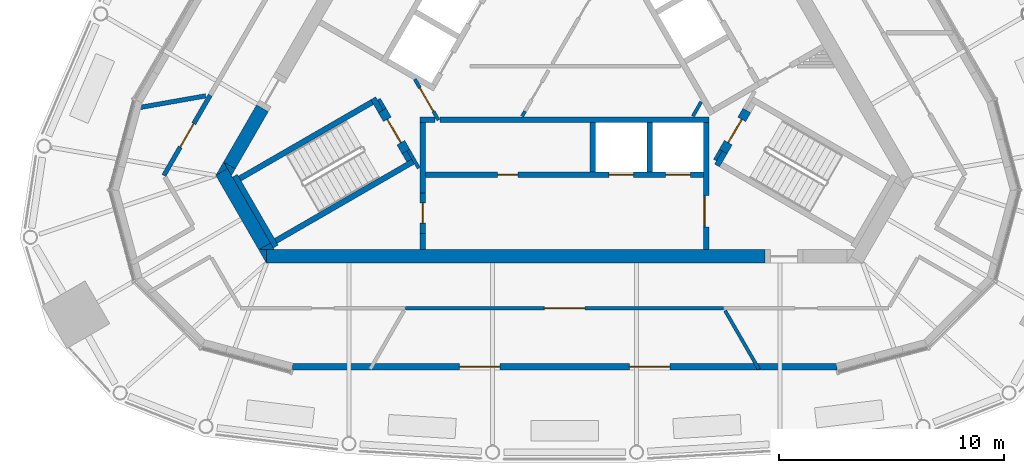
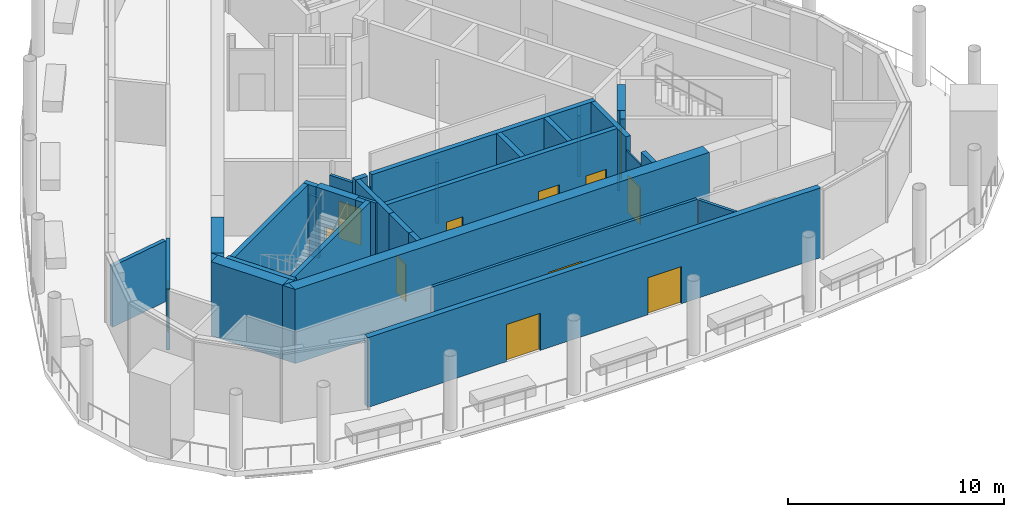
# One storey, part 6 of 15: 37 walls, 12 doors, 12 openings.
"""IFC4 building model written with IfcOpenShell, lengths in metres."""

from ifc_helpers import new_model, si_unit, direction, frame, frame_2d, origin, place, context, subcontext, project, spatial, polyline, rectangle, outline, extrude, material, layer, layer_set, type_object, element, fill, save


model = new_model("IFC4")

# Units and contexts
model_context = context("Model", 3, precision=1e-05, world=origin(), true_north=direction((0.0, 1.0)))
body_context = subcontext(model_context, "Body", "Model", "MODEL_VIEW")
ifc_project = project(units=[si_unit("LENGTHUNIT", "METRE"), si_unit("AREAUNIT", "SQUARE_METRE"), si_unit("VOLUMEUNIT", "CUBIC_METRE"), si_unit("PLANEANGLEUNIT", "RADIAN"), si_unit("MASSUNIT", "GRAM", prefix="KILO")], contexts=[model_context])

# Site, building, storey
site_placement = place(None, origin())
site = spatial("IfcSite", under=ifc_project, at=site_placement, CompositionType="ELEMENT")
building_placement = place(site_placement, origin())
building = spatial("IfcBuilding", under=site, at=building_placement, Name="Mestral Congress Tower", CompositionType="ELEMENT")
storey_placement = place(building_placement, frame((0.0, 0.0, 327.60009765625)))
storey = spatial("IfcBuildingStorey", under=building, at=storey_placement, Name="L76", CompositionType="ELEMENT", Elevation=327.60009765625)

# Walls
ifc_material_1 = material(Name="Fire-rated board partition")
ifc_layer_1 = layer(ifc_material_1, 0.14990234375)
ifc_layer_set_1 = layer_set([ifc_layer_1], Name="Fire-rated board partition")
wall_type_1 = type_object("IfcWallType", Name="Core partition 150", PredefinedType="PARTITIONING", material=ifc_layer_set_1)
for number, where, z_axis, x_axis, name in (
    (1, (-8.251953125, -2.958251953125, 0.0), (0.0, 0.0, 1.0), (0.500174715838, -0.865924508047, 0.0), "L76 core wall"),
    (2, (6.94482421875, -5.22216796875, 0.0), (0.0, 0.0, 1.0), (-0.499818422106, -0.866130212453, 0.0), "L76 core wall"),
):
    element("IfcWall", number, at=place(storey_placement, frame(where, z_axis=z_axis, x_axis=x_axis)), inside=storey, type_object=wall_type_1, Name=name, PredefinedType="PARTITIONING", context=body_context, shape_type="SweptSolid", body=[
        extrude(rectangle(XDim=0.513916015625, YDim=0.14990234375, at=frame_2d((0.2568359375, 0.0))), origin(), (0.0, 0.0, 1.0), 3.449951171875),
    ])
wall_1_placement = place(storey_placement, frame((5.704833984375, -3.718017578125, 0.0), z_axis=(0.0, 0.0, 1.0), x_axis=(0.499962090823, 0.866047289552, 0.0)))
element("IfcWall", 3, at=wall_1_placement, inside=storey, type_object=wall_type_1, Name="L76 core wall", PredefinedType="PARTITIONING", context=body_context, shape_type="SweptSolid", body=[
    extrude(rectangle(XDim=0.73486328125, YDim=0.14990234375, at=frame_2d((0.367431640625, 0.0))), origin(), (0.0, 0.0, 1.0), 3.449951171875),
])
wall_2_placement = place(storey_placement, frame((-1.886962890625, -3.71826171875, 0.0), z_axis=(0.0, 0.0, 1.0), x_axis=(0.500165633897, 0.865929753888, 0.0)))
element("IfcWall", 4, at=wall_2_placement, inside=storey, type_object=wall_type_1, Name="L76 core wall", PredefinedType="PARTITIONING", context=body_context, shape_type="SweptSolid", body=[
    extrude(rectangle(XDim=0.25439453125, YDim=0.14990234375, at=frame_2d((0.127197265625, 0.0))), origin(), (0.0, 0.0, 1.0), 3.449951171875),
])

# Wall, opening, door
wall_3_placement = place(storey_placement, frame((-5.606201171875, -3.8896484375, 0.0), z_axis=(0.0, 0.0, 1.0), x_axis=(-0.500027713859, 0.866009402589, 0.0)))
wall_3 = element("IfcWall", 5, at=wall_3_placement, inside=storey, type_object=wall_type_1, Name="L76 door wall", PredefinedType="PARTITIONING", context=body_context, shape_type="SweptSolid", body=[
    extrude(rectangle(XDim=2.10009765625, YDim=0.14990234375, at=frame_2d((1.050048828125, 0.0))), origin(), (0.0, 0.0, 1.0), 3.449951171875),
])
opening_1_placement = place(wall_3_placement, frame((0.449951171875, 0.0, 0.0)))
opening_1 = element("IfcOpeningElement", 6, at=opening_1_placement, cuts=wall_3, Name="Opening CD3-FF", PredefinedType="OPENING", context=body_context, shape_type="SweptSolid", body=[
    extrude(rectangle(XDim=1.199951171875, YDim=2.10009765625, at=frame_2d((0.60009765625, 1.050048828125))), frame((0.0, 0.0849609375, 0.0), z_axis=(0.0, -1.0, 0.0), x_axis=(1.0, 0.0, 0.0)), (0.0, 0.0, 1.0), 0.169921875),
])
ifc_material_2 = material(Name="Fire-rated steel door set", Category="steel")
door_type_1 = type_object("IfcDoorType", Name="Core door CD 1200x2100", OperationType="SINGLE_SWING_LEFT", PredefinedType="DOOR", material=ifc_material_2)
door_1_placement = place(opening_1_placement, origin())
door_1 = element("IfcDoor", 7, at=door_1_placement, inside=storey, type_object=door_type_1, Name="Door CD3-FF", OperationType="SINGLE_SWING_LEFT", OverallHeight=2.10009765625, OverallWidth=1.199951171875, PredefinedType="DOOR", context=body_context, shape_type="SweptSolid", body=[
    extrude(rectangle(XDim=1.199951171875, YDim=2.10009765625, at=frame_2d((0.60009765625, 1.050048828125))), frame((0.0, 0.02490234375, 0.0), z_axis=(0.0, -1.0, 0.0), x_axis=(1.0, 0.0, 0.0)), (0.0, 0.0, 1.0), 0.050048828125),
])
fill(opening_1, door_1)

ifc_layer_2 = layer(ifc_material_1, 0.090087890625)
ifc_layer_set_2 = layer_set([ifc_layer_2], Name="Fire-rated board partition")
wall_type_2 = type_object("IfcWallType", Name="Core partition 150 door-wall 90", PredefinedType="PARTITIONING", material=ifc_layer_set_2)
wall_4_placement = place(storey_placement, frame((6.219970703125, -7.23681640625, 0.0), z_axis=(0.0, 0.0, 1.0), x_axis=(0.0, -1.0, 0.0)))
wall_4 = element("IfcWall", 8, at=wall_4_placement, inside=storey, type_object=wall_type_2, Name="L76 door wall", PredefinedType="PARTITIONING", context=body_context, shape_type="SweptSolid", body=[
    extrude(rectangle(XDim=1.400146484375, YDim=0.090087890625, at=frame_2d((0.7001953125, 0.0))), origin(), (0.0, 0.0, 1.0), 3.449951171875),
])
opening_2_placement = place(wall_4_placement, frame((0.10009765625, 0.0, 0.0)))
opening_2 = element("IfcOpeningElement", 9, at=opening_2_placement, cuts=wall_4, Name="Opening LB0-WL1", PredefinedType="OPENING", context=body_context, shape_type="SweptSolid", body=[
    extrude(rectangle(XDim=1.199951171875, YDim=2.10009765625, at=frame_2d((0.60009765625, 1.050048828125))), frame((0.0, 0.054931640625, 0.0), z_axis=(0.0, -1.0, 0.0), x_axis=(1.0, 0.0, 0.0)), (0.0, 0.0, 1.0), 0.110107421875),
])
door_type_2 = type_object("IfcDoorType", Name="Core door LB 1200x2100", OperationType="SINGLE_SWING_LEFT", PredefinedType="DOOR", material=ifc_material_2)
door_2_placement = place(opening_2_placement, origin())
door_2 = element("IfcDoor", 10, at=door_2_placement, inside=storey, type_object=door_type_2, Name="Door LB0-WL1", OperationType="SINGLE_SWING_LEFT", OverallHeight=2.10009765625, OverallWidth=1.199951171875, PredefinedType="DOOR", context=body_context, shape_type="SweptSolid", body=[
    extrude(rectangle(XDim=1.199951171875, YDim=2.10009765625, at=frame_2d((0.60009765625, 1.050048828125))), frame((0.0, 0.02490234375, 0.0), z_axis=(0.0, -1.0, 0.0), x_axis=(1.0, 0.0, 0.0)), (0.0, 0.0, 1.0), 0.050048828125),
])
fill(opening_2, door_2)

# Walls
ifc_material_3 = material(Name="Concrete C60/75", Category="concrete")
ifc_layer_3 = layer(ifc_material_3, 0.60009765625)
ifc_layer_set_3 = layer_set([ifc_layer_3], Name="Concrete C60/75")
wall_type_3 = type_object("IfcWallType", Name="Core wall RC 600", PredefinedType="SOLIDWALL", material=ifc_layer_set_3)
wall_5_placement = place(storey_placement, frame((8.904296875, -9.949951171875, 0.0), z_axis=(0.0, 0.0, 1.0), x_axis=(-1.0, 0.0, 0.0)))
element("IfcWall", 11, at=wall_5_placement, inside=storey, type_object=wall_type_3, Name="L76 core wall", PredefinedType="SOLIDWALL", context=body_context, shape_type="SweptSolid", body=[
    extrude(rectangle(XDim=22.160888671875, YDim=0.60009765625, at=frame_2d((11.08056640625, 0.0))), origin(), (0.0, 0.0, 1.0), 4.199951171875),
])
placement = place(storey_placement, origin())
element("IfcWall", 12, at=placement, inside=storey, type_object=wall_type_3, Name="L76 core wall", PredefinedType="SOLIDWALL", context=body_context, shape_type="SweptSolid", body=[
    extrude(outline(polyline([(-13.5966796875, -9.64990234375), (-13.258544921875, -9.64990234375), (-13.258544921875, -10.235595703125), (-13.5966796875, -9.64990234375)])), origin(), (0.0, 0.0, 1.0), 4.199951171875),
])
wall_7_placement = place(storey_placement, frame((-13.33349609375, -9.505615234375, 0.0), z_axis=(0.0, 0.0, 1.0), x_axis=(-0.500019073792, 0.866014391245, 0.0)))
element("IfcWall", 13, at=wall_7_placement, inside=storey, type_object=wall_type_3, Name="L76 core wall", PredefinedType="SOLIDWALL", context=body_context, shape_type="SweptSolid", body=[
    extrude(rectangle(XDim=3.823486328125, YDim=0.60009765625, at=frame_2d((1.91162109375, 0.0))), origin(), (0.0, 0.0, 1.0), 4.199951171875),
])
element("IfcWall", 14, at=placement, inside=storey, type_object=wall_type_3, Name="L76 core wall", PredefinedType="SOLIDWALL", context=body_context, shape_type="SweptSolid", body=[
    extrude(outline(polyline([(-14.986572265625, -6.042724609375), (-15.493408203125, -6.33544921875), (-15.155517578125, -5.75), (-14.986572265625, -6.042724609375)])), origin(), (0.0, 0.0, 1.0), 4.199951171875),
])
element("IfcWall", 15, at=placement, inside=storey, type_object=wall_type_3, Name="L76 core wall", PredefinedType="SOLIDWALL", context=body_context, shape_type="SweptSolid", body=[
    extrude(outline(polyline([(-12.90380859375, -9.64990234375), (-13.579833984375, -9.64990234375), (-13.07275390625, -9.357421875), (-12.90380859375, -9.64990234375)])), origin(), (0.0, 0.0, 1.0), 4.199951171875),
])
wall_10_placement = place(storey_placement, frame((-13.431640625, -3.3642578125, 0.0), z_axis=(0.0, 0.0, 1.0), x_axis=(-0.499960127962, -0.866048422692, 0.0)))
element("IfcWall", 16, at=wall_10_placement, inside=storey, type_object=wall_type_3, Name="L76 core wall", PredefinedType="SOLIDWALL", context=body_context, shape_type="SweptSolid", body=[
    extrude(rectangle(XDim=2.934326171875, YDim=0.60009765625, at=frame_2d((1.46728515625, 0.0))), origin(), (0.0, 0.0, 1.0), 4.199951171875),
])
element("IfcWall", 17, at=placement, inside=storey, type_object=wall_type_3, Name="L76 core wall", PredefinedType="SOLIDWALL", context=body_context, shape_type="SweptSolid", body=[
    extrude(outline(polyline([(-14.80908203125, -6.35009765625), (-15.147216796875, -5.764404296875), (-14.639892578125, -6.057373046875), (-14.80908203125, -6.35009765625)])), origin(), (0.0, 0.0, 1.0), 4.199951171875),
])

# Wall, openings, doors
ifc_material_4 = material(Name="Precast concrete C40/50 with limestone facing", Category="masonry")
ifc_layer_4 = layer(ifc_material_4, 0.300048828125)
ifc_layer_set_4 = layer_set([ifc_layer_4], Name="Precast concrete C40/50 with limestone facing")
wall_type_4 = type_object("IfcWallType", Name="Crown plant block wall 300", PredefinedType="SOLIDWALL", material=ifc_layer_set_4)
wall_12_placement = place(storey_placement, frame((12.104736328125, -14.85009765625, 0.0), z_axis=(0.0, 0.0, 1.0), x_axis=(-1.0, 0.0, 0.0)))
wall_12 = element("IfcWall", 18, at=wall_12_placement, inside=storey, type_object=wall_type_4, Name="Head house wall", PredefinedType="SOLIDWALL", context=body_context, shape_type="SweptSolid", body=[
    extrude(rectangle(XDim=24.20947265625, YDim=0.300048828125, at=frame_2d((12.104736328125, 0.0))), origin(), (0.0, 0.0, 1.0), 3.949951171875),
])
opening_3_placement = place(wall_12_placement, frame((7.424560546875, 0.0, 0.0)))
opening_3 = element("IfcOpeningElement", 19, at=opening_3_placement, cuts=wall_12, Name="Opening K76-901", PredefinedType="OPENING", context=body_context, shape_type="SweptSolid", body=[
    extrude(rectangle(XDim=1.800048828125, YDim=2.10009765625, at=frame_2d((0.89990234375, 1.050048828125))), frame((0.0, 0.159912109375, 0.0), z_axis=(0.0, -1.0, 0.0), x_axis=(1.0, 0.0, 0.0)), (0.0, 0.0, 1.0), 0.320068359375),
])
opening_4_placement = place(wall_12_placement, frame((14.98486328125, 0.0, 0.0)))
opening_4 = element("IfcOpeningElement", 20, at=opening_4_placement, cuts=wall_12, Name="Opening K76-902", PredefinedType="OPENING", context=body_context, shape_type="SweptSolid", body=[
    extrude(rectangle(XDim=1.800048828125, YDim=2.10009765625, at=frame_2d((0.89990234375, 1.050048828125))), frame((0.0, 0.159912109375, 0.0), z_axis=(0.0, -1.0, 0.0), x_axis=(1.0, 0.0, 0.0)), (0.0, 0.0, 1.0), 0.320068359375),
])
ifc_material_5 = material(Name="Timber door set", Category="wood")
door_type_3 = type_object("IfcDoorType", Name="Double door 1800x2100", OperationType="DOUBLE_DOOR_SINGLE_SWING", PredefinedType="DOOR", material=ifc_material_5)
door_3_placement = place(opening_3_placement, origin())
door_3 = element("IfcDoor", 21, at=door_3_placement, inside=storey, type_object=door_type_3, Name="Door K76-901", OperationType="DOUBLE_DOOR_SINGLE_SWING", OverallHeight=2.10009765625, OverallWidth=1.800048828125, PredefinedType="DOOR", context=body_context, shape_type="SweptSolid", body=[
    extrude(rectangle(XDim=1.800048828125, YDim=2.10009765625, at=frame_2d((0.89990234375, 1.050048828125))), frame((0.0, 0.02490234375, 0.0), z_axis=(0.0, -1.0, 0.0), x_axis=(1.0, 0.0, 0.0)), (0.0, 0.0, 1.0), 0.050048828125),
])
fill(opening_3, door_3)
door_4_placement = place(opening_4_placement, origin())
door_4 = element("IfcDoor", 22, at=door_4_placement, inside=storey, type_object=door_type_3, Name="Door K76-902", OperationType="DOUBLE_DOOR_SINGLE_SWING", OverallHeight=2.10009765625, OverallWidth=1.800048828125, PredefinedType="DOOR", context=body_context, shape_type="SweptSolid", body=[
    extrude(rectangle(XDim=1.800048828125, YDim=2.10009765625, at=frame_2d((0.89990234375, 1.050048828125))), frame((0.0, 0.02490234375, 0.0), z_axis=(0.0, -1.0, 0.0), x_axis=(1.0, 0.0, 0.0)), (0.0, 0.0, 1.0), 0.050048828125),
])
fill(opening_4, door_4)

# Walls
ifc_layer_5 = layer(ifc_material_3, 0.25)
ifc_layer_set_5 = layer_set([ifc_layer_5], Name="Concrete C60/75")
wall_type_5 = type_object("IfcWallType", Name="Shaft wall RC 250", PredefinedType="SOLIDWALL", material=ifc_layer_set_5)
wall_13_placement = place(storey_placement, frame((-5.544921875, -3.875, 0.0), z_axis=(0.0, 0.0, 1.0), x_axis=(1.0, 0.0, 0.0)))
element("IfcWall", 23, at=wall_13_placement, inside=storey, type_object=wall_type_5, Name="L76 core wall", PredefinedType="SOLIDWALL", context=body_context, shape_type="SweptSolid", body=[
    extrude(rectangle(XDim=11.969970703125, YDim=0.25, at=frame_2d((5.98486328125, 0.0))), origin(), (0.0, 0.0, 1.0), 4.199951171875),
])
wall_14_placement = place(storey_placement, frame((-6.425048828125, -3.875, 0.0), z_axis=(0.0, 0.0, 1.0), x_axis=(1.0, 0.0, 0.0)))
element("IfcWall", 24, at=wall_14_placement, inside=storey, type_object=wall_type_5, Name="L76 core wall", PredefinedType="SOLIDWALL", context=body_context, shape_type="SweptSolid", body=[
    extrude(rectangle(XDim=0.657958984375, YDim=0.25, at=frame_2d((0.3291015625, 0.0))), origin(), (0.0, 0.0, 1.0), 4.199951171875),
])
wall_15_placement = place(storey_placement, frame((6.300048828125, -7.239990234375, 0.0), z_axis=(0.0, 0.0, 1.0), x_axis=(0.0, 1.0, 0.0)))
element("IfcWall", 25, at=wall_15_placement, inside=storey, type_object=wall_type_5, Name="L76 core wall", PredefinedType="SOLIDWALL", context=body_context, shape_type="SweptSolid", body=[
    extrude(rectangle(XDim=3.239990234375, YDim=0.25, at=frame_2d((1.6201171875, 0.0))), origin(), (0.0, 0.0, 1.0), 4.199951171875),
])
wall_16_placement = place(storey_placement, frame((6.300048828125, -9.64990234375, 0.0), z_axis=(0.0, 0.0, 1.0), x_axis=(0.0, 1.0, 0.0)))
element("IfcWall", 26, at=wall_16_placement, inside=storey, type_object=wall_type_5, Name="L76 core wall", PredefinedType="SOLIDWALL", context=body_context, shape_type="SweptSolid", body=[
    extrude(rectangle(XDim=1.0078125, YDim=0.25, at=frame_2d((0.50390625, 0.0))), origin(), (0.0, 0.0, 1.0), 4.199951171875),
])
for number, where, z_axis, x_axis, name in (
    (27, (3.780029296875, -4.0, 0.0), (0.0, 0.0, 1.0), (0.0, -1.0, 0.0), "L76 core wall"),
    (28, (1.260009765625, -4.0, 0.0), (0.0, 0.0, 1.0), (0.0, -1.0, 0.0), "L76 core wall"),
):
    element("IfcWall", number, at=place(storey_placement, frame(where, z_axis=z_axis, x_axis=x_axis)), inside=storey, type_object=wall_type_5, Name=name, PredefinedType="SOLIDWALL", context=body_context, shape_type="SweptSolid", body=[
        extrude(rectangle(XDim=2.199951171875, YDim=0.25, at=frame_2d((1.10009765625, 0.0))), origin(), (0.0, 0.0, 1.0), 4.199951171875),
    ])
wall_17_placement = place(storey_placement, frame((-6.300048828125, -7.12451171875, 0.0), z_axis=(0.0, 0.0, 1.0), x_axis=(0.0, 1.0, 0.0)))
element("IfcWall", 29, at=wall_17_placement, inside=storey, type_object=wall_type_5, Name="L76 core wall", PredefinedType="SOLIDWALL", context=body_context, shape_type="SweptSolid", body=[
    extrude(rectangle(XDim=3.12451171875, YDim=0.25, at=frame_2d((1.562255859375, 0.0))), origin(), (0.0, 0.0, 1.0), 4.199951171875),
])
wall_18_placement = place(storey_placement, frame((-6.300048828125, -8.9248046875, 0.0), z_axis=(0.0, 0.0, 1.0), x_axis=(0.0, -1.0, 0.0)))
element("IfcWall", 30, at=wall_18_placement, inside=storey, type_object=wall_type_5, Name="L76 core wall", PredefinedType="SOLIDWALL", context=body_context, shape_type="SweptSolid", body=[
    extrude(rectangle(XDim=0.72509765625, YDim=0.25, at=frame_2d((0.362548828125, 0.0))), origin(), (0.0, 0.0, 1.0), 4.199951171875),
])

# Wall, openings, doors
wall_19_placement = place(storey_placement, frame((-6.175048828125, -6.324951171875, 0.0), z_axis=(0.0, 0.0, 1.0), x_axis=(1.0, 0.0, 0.0)))
wall_19 = element("IfcWall", 31, at=wall_19_placement, inside=storey, type_object=wall_type_5, Name="L76 door wall", PredefinedType="SOLIDWALL", context=body_context, shape_type="SweptSolid", body=[
    extrude(rectangle(XDim=12.35009765625, YDim=0.25, at=frame_2d((6.175048828125, 0.0))), origin(), (0.0, 0.0, 1.0), 4.199951171875),
])
opening_5_placement = place(wall_19_placement, frame((3.205078125, 0.0, 0.0)))
opening_5 = element("IfcOpeningElement", 32, at=opening_5_placement, cuts=wall_19, Name="Opening SR-SOB1", PredefinedType="OPENING", context=body_context, shape_type="SweptSolid", body=[
    extrude(rectangle(XDim=0.89990234375, YDim=2.10009765625, at=frame_2d((0.449951171875, 1.050048828125))), frame((0.0, 0.135009765625, 0.0), z_axis=(0.0, -1.0, 0.0), x_axis=(1.0, 0.0, 0.0)), (0.0, 0.0, 1.0), 0.27001953125),
])
opening_6_placement = place(wall_19_placement, frame((8.14501953125, 0.0, 0.0)))
opening_6 = element("IfcOpeningElement", 33, at=opening_6_placement, cuts=wall_19, Name="Opening LD-SOB4", PredefinedType="OPENING", context=body_context, shape_type="SweptSolid", body=[
    extrude(rectangle(XDim=1.10009765625, YDim=2.10009765625, at=frame_2d((0.550048828125, 1.050048828125))), frame((0.0, 0.135009765625, 0.0), z_axis=(0.0, -1.0, 0.0), x_axis=(1.0, 0.0, 0.0)), (0.0, 0.0, 1.0), 0.27001953125),
])
opening_7_placement = place(wall_19_placement, frame((10.6650390625, 0.0, 0.0)))
opening_7 = element("IfcOpeningElement", 34, at=opening_7_placement, cuts=wall_19, Name="Opening LD-SOB5", PredefinedType="OPENING", context=body_context, shape_type="SweptSolid", body=[
    extrude(rectangle(XDim=1.10009765625, YDim=2.10009765625, at=frame_2d((0.550048828125, 1.050048828125))), frame((0.0, 0.135009765625, 0.0), z_axis=(0.0, -1.0, 0.0), x_axis=(1.0, 0.0, 0.0)), (0.0, 0.0, 1.0), 0.27001953125),
])
door_type_4 = type_object("IfcDoorType", Name="Core door LD 1100x2100", OperationType="DOUBLE_DOOR_SLIDING", PredefinedType="DOOR", material=ifc_material_2)
door_5_placement = place(opening_6_placement, origin())
door_5 = element("IfcDoor", 35, at=door_5_placement, inside=storey, type_object=door_type_4, Name="Door LD-SOB4", OperationType="DOUBLE_DOOR_SLIDING", OverallHeight=2.10009765625, OverallWidth=1.10009765625, PredefinedType="DOOR", context=body_context, shape_type="SweptSolid", body=[
    extrude(rectangle(XDim=1.10009765625, YDim=2.10009765625, at=frame_2d((0.550048828125, 1.050048828125))), frame((0.0, 0.02490234375, 0.0), z_axis=(0.0, -1.0, 0.0), x_axis=(1.0, 0.0, 0.0)), (0.0, 0.0, 1.0), 0.050048828125),
])
fill(opening_6, door_5)
door_6_placement = place(opening_7_placement, origin())
door_6 = element("IfcDoor", 36, at=door_6_placement, inside=storey, type_object=door_type_4, Name="Door LD-SOB5", OperationType="DOUBLE_DOOR_SLIDING", OverallHeight=2.10009765625, OverallWidth=1.10009765625, PredefinedType="DOOR", context=body_context, shape_type="SweptSolid", body=[
    extrude(rectangle(XDim=1.10009765625, YDim=2.10009765625, at=frame_2d((0.550048828125, 1.050048828125))), frame((0.0, 0.02490234375, 0.0), z_axis=(0.0, -1.0, 0.0), x_axis=(1.0, 0.0, 0.0)), (0.0, 0.0, 1.0), 0.050048828125),
])
fill(opening_7, door_6)
door_type_5 = type_object("IfcDoorType", Name="Core door SR 900x2100", OperationType="SINGLE_SWING_LEFT", PredefinedType="DOOR", material=ifc_material_2)
door_7_placement = place(opening_5_placement, origin())
door_7 = element("IfcDoor", 37, at=door_7_placement, inside=storey, type_object=door_type_5, Name="Door SR-SOB1", OperationType="SINGLE_SWING_LEFT", OverallHeight=2.10009765625, OverallWidth=0.89990234375, PredefinedType="DOOR", context=body_context, shape_type="SweptSolid", body=[
    extrude(rectangle(XDim=0.89990234375, YDim=2.10009765625, at=frame_2d((0.449951171875, 1.050048828125))), frame((0.0, 0.02490234375, 0.0), z_axis=(0.0, -1.0, 0.0), x_axis=(1.0, 0.0, 0.0)), (0.0, 0.0, 1.0), 0.050048828125),
])
fill(opening_5, door_7)

# Wall, opening, door
wall_20_placement = place(storey_placement, frame((-6.300048828125, -7.12451171875, 0.0), z_axis=(0.0, 0.0, 1.0), x_axis=(0.0, -1.0, 0.0)))
wall_20 = element("IfcWall", 38, at=wall_20_placement, inside=storey, type_object=wall_type_5, Name="L76 door wall", PredefinedType="SOLIDWALL", context=body_context, shape_type="SweptSolid", body=[
    extrude(rectangle(XDim=1.800048828125, YDim=0.25, at=frame_2d((0.89990234375, 0.0))), origin(), (0.0, 0.0, 1.0), 4.199951171875),
])
opening_8_placement = place(wall_20_placement, frame((0.449951171875, 0.0, 0.0)))
opening_8 = element("IfcOpeningElement", 39, at=opening_8_placement, cuts=wall_20, Name="Opening TD3", PredefinedType="OPENING", context=body_context, shape_type="SweptSolid", body=[
    extrude(rectangle(XDim=0.89990234375, YDim=2.10009765625, at=frame_2d((0.449951171875, 1.050048828125))), frame((0.0, 0.135009765625, 0.0), z_axis=(0.0, -1.0, 0.0), x_axis=(1.0, 0.0, 0.0)), (0.0, 0.0, 1.0), 0.27001953125),
])
door_8_placement = place(opening_8_placement, origin())
door_8 = element("IfcDoor", 40, at=door_8_placement, inside=storey, type_object=door_type_5, Name="Door TD3", OperationType="SINGLE_SWING_LEFT", OverallHeight=2.10009765625, OverallWidth=0.89990234375, PredefinedType="DOOR", context=body_context, shape_type="SweptSolid", body=[
    extrude(rectangle(XDim=0.89990234375, YDim=2.10009765625, at=frame_2d((0.449951171875, 1.050048828125))), frame((0.0, 0.02490234375, 0.0), z_axis=(0.0, -1.0, 0.0), x_axis=(1.0, 0.0, 0.0)), (0.0, 0.0, 1.0), 0.050048828125),
])
fill(opening_8, door_8)

# Wall
ifc_layer_6 = layer(ifc_material_3, 0.14990234375)
ifc_layer_set_6 = layer_set([ifc_layer_6], Name="Concrete C60/75")
wall_type_6 = type_object("IfcWallType", Name="Shaft wall RC 250 door-wall 150", PredefinedType="SOLIDWALL", material=ifc_layer_set_6)
wall_21_placement = place(storey_placement, frame((-6.48046875, -6.026611328125, 0.0), z_axis=(0.0, 0.0, 1.0), x_axis=(-0.499927229454, 0.866067413802, 0.0)))
element("IfcWall", 41, at=wall_21_placement, inside=storey, type_object=wall_type_6, Name="L76 core wall", PredefinedType="PARTITIONING", context=body_context, shape_type="SweptSolid", body=[
    extrude(rectangle(XDim=0.928955078125, YDim=0.14990234375, at=frame_2d((0.46435546875, 0.0))), origin(), (0.0, 0.0, 1.0), 4.199951171875),
])

# Wall, opening, door
ifc_layer_7 = layer(ifc_material_1, 0.14990234375)
ifc_layer_set_7 = layer_set([ifc_layer_7], Name="Fire-rated board partition")
wall_type_7 = type_object("IfcWallType", Name="Special partition 150 EI 120", PredefinedType="PARTITIONING", material=ifc_layer_set_7)
wall_22_placement = place(storey_placement, frame((-7.07275390625, -12.25, 0.0), z_axis=(0.0, 0.0, 1.0), x_axis=(1.0, 0.0, 0.0)))
wall_22 = element("IfcWall", 42, at=wall_22_placement, inside=storey, type_object=wall_type_7, Name="Partition", PredefinedType="PARTITIONING", context=body_context, shape_type="SweptSolid", body=[
    extrude(rectangle(XDim=14.1455078125, YDim=0.14990234375, at=frame_2d((7.07275390625, 0.0))), origin(), (0.0, 0.0, 1.0), 3.449951171875),
])
opening_9_placement = place(wall_22_placement, frame((6.1728515625, 0.0, 0.0)))
opening_9 = element("IfcOpeningElement", 43, at=opening_9_placement, cuts=wall_22, Name="Opening K76-003", PredefinedType="OPENING", context=body_context, shape_type="SweptSolid", body=[
    extrude(rectangle(XDim=1.800048828125, YDim=2.10009765625, at=frame_2d((0.89990234375, 1.050048828125))), frame((0.0, 0.0849609375, 0.0), z_axis=(0.0, -1.0, 0.0), x_axis=(1.0, 0.0, 0.0)), (0.0, 0.0, 1.0), 0.169921875),
])
door_9_placement = place(opening_9_placement, origin())
door_9 = element("IfcDoor", 44, at=door_9_placement, inside=storey, type_object=door_type_3, Name="Door K76-003", OperationType="DOUBLE_DOOR_SINGLE_SWING", OverallHeight=2.10009765625, OverallWidth=1.800048828125, PredefinedType="DOOR", context=body_context, shape_type="SweptSolid", body=[
    extrude(rectangle(XDim=1.800048828125, YDim=2.10009765625, at=frame_2d((0.89990234375, 1.050048828125))), frame((0.0, 0.02490234375, 0.0), z_axis=(0.0, -1.0, 0.0), x_axis=(1.0, 0.0, 0.0)), (0.0, 0.0, 1.0), 0.050048828125),
])
fill(opening_9, door_9)

# Wall
ifc_layer_8 = layer(ifc_material_1, 0.14990234375)
ifc_layer_set_8 = layer_set([ifc_layer_8], Name="Fire-rated board partition")
wall_type_8 = type_object("IfcWallType", Name="Special partition 150 EI 180", PredefinedType="PARTITIONING", material=ifc_layer_set_8)
wall_23_placement = place(storey_placement, frame((7.137451171875, -12.362548828125, 0.0), z_axis=(0.0, 0.0, 1.0), x_axis=(0.500009026289, -0.866020192391, 0.0)))
element("IfcWall", 45, at=wall_23_placement, inside=storey, type_object=wall_type_8, Name="Partition", PredefinedType="PARTITIONING", context=body_context, shape_type="SweptSolid", body=[
    extrude(rectangle(XDim=2.9990234375, YDim=0.14990234375, at=frame_2d((1.49951171875, 0.0))), origin(), (0.0, 0.0, 1.0), 3.449951171875),
])

# Wall, opening, door
ifc_material_6 = material(Name="Concrete block wall, plastered", Category="concrete")
ifc_layer_9 = layer(ifc_material_6, 0.199951171875)
ifc_layer_set_9 = layer_set([ifc_layer_9], Name="Concrete block wall, plastered")
wall_type_9 = type_object("IfcWallType", Name="Special partition 200 EI 120", PredefinedType="PARTITIONING", material=ifc_layer_set_9)
wall_24_placement = place(storey_placement, frame((-15.753173828125, -2.785400390625, 0.0), z_axis=(0.0, 0.0, 1.0), x_axis=(-0.500004836318, -0.866022611517, 0.0)))
wall_24 = element("IfcWall", 46, at=wall_24_placement, inside=storey, type_object=wall_type_9, Name="Partition", PredefinedType="PARTITIONING", context=body_context, shape_type="SweptSolid", body=[
    extrude(rectangle(XDim=4.1162109375, YDim=0.199951171875, at=frame_2d((2.05810546875, 0.0))), origin(), (0.0, 0.0, 1.0), 3.449951171875),
])
opening_10_placement = place(wall_24_placement, frame((1.4580078125, 0.0, 0.0)))
opening_10 = element("IfcOpeningElement", 47, at=opening_10_placement, cuts=wall_24, Name="Opening K76-001", PredefinedType="OPENING", context=body_context, shape_type="SweptSolid", body=[
    extrude(rectangle(XDim=1.199951171875, YDim=2.10009765625, at=frame_2d((0.60009765625, 1.050048828125))), frame((0.0, 0.10986328125, 0.0), z_axis=(0.0, -1.0, 0.0), x_axis=(1.0, 0.0, 0.0)), (0.0, 0.0, 1.0), 0.219970703125),
])
door_type_6 = type_object("IfcDoorType", Name="Plant room door 1200x2100", OperationType="SINGLE_SWING_LEFT", PredefinedType="DOOR", material=ifc_material_2)
door_10_placement = place(opening_10_placement, origin())
door_10 = element("IfcDoor", 48, at=door_10_placement, inside=storey, type_object=door_type_6, Name="Door K76-001", OperationType="SINGLE_SWING_LEFT", OverallHeight=2.10009765625, OverallWidth=1.199951171875, PredefinedType="DOOR", context=body_context, shape_type="SweptSolid", body=[
    extrude(rectangle(XDim=1.199951171875, YDim=2.10009765625, at=frame_2d((0.60009765625, 1.050048828125))), frame((0.0, 0.02490234375, 0.0), z_axis=(0.0, -1.0, 0.0), x_axis=(1.0, 0.0, 0.0)), (0.0, 0.0, 1.0), 0.050048828125),
])
fill(opening_10, door_10)

# Walls
wall_25_placement = place(storey_placement, frame((-19.123291015625, -3.371826171875, 0.0), z_axis=(0.0, 0.0, 1.0), x_axis=(0.984810286539, 0.173633808708, 0.0)))
element("IfcWall", 49, at=wall_25_placement, inside=storey, type_object=wall_type_9, Name="Partition", PredefinedType="PARTITIONING", context=body_context, shape_type="SweptSolid", body=[
    extrude(rectangle(XDim=3.217041015625, YDim=0.199951171875, at=frame_2d((1.6083984375, 0.0))), origin(), (0.0, 0.0, 1.0), 3.449951171875),
])
ifc_layer_10 = layer(ifc_material_3, 0.25)
ifc_layer_set_10 = layer_set([ifc_layer_10], Name="Concrete C60/75")
wall_type_10 = type_object("IfcWallType", Name="Stair wall RC 250", PredefinedType="SOLIDWALL", material=ifc_layer_set_10)
wall_26_placement = place(storey_placement, frame((6.780029296875, -5.906494140625, 0.0), z_axis=(0.0, 0.0, 1.0), x_axis=(0.500223362819, 0.865896406789, 0.0)))
element("IfcWall", 50, at=wall_26_placement, inside=storey, type_object=wall_type_10, Name="L76 core wall", PredefinedType="SOLIDWALL", context=body_context, shape_type="SweptSolid", body=[
    extrude(rectangle(XDim=0.675048828125, YDim=0.25, at=frame_2d((0.33740234375, 0.0))), origin(), (0.0, 0.0, 1.0), 4.199951171875),
])
wall_27_placement = place(storey_placement, frame((-12.839599609375, -9.510986328125, 0.0), z_axis=(0.0, 0.0, 1.0), x_axis=(-0.499997733992, 0.866026712061, 0.0)))
element("IfcWall", 51, at=wall_27_placement, inside=storey, type_object=wall_type_10, Name="L76 core wall", PredefinedType="SOLIDWALL", context=body_context, shape_type="SweptSolid", body=[
    extrude(rectangle(XDim=3.6337890625, YDim=0.25, at=frame_2d((1.81689453125, 0.0))), origin(), (0.0, 0.0, 1.0), 4.199951171875),
])
wall_28_placement = place(storey_placement, frame((-14.43994140625, -6.489501953125, 0.0), z_axis=(0.0, 0.0, 1.0), x_axis=(0.866022966069, 0.500004222222, 0.0)))
element("IfcWall", 52, at=wall_28_placement, inside=storey, type_object=wall_type_10, Name="L76 core wall", PredefinedType="SOLIDWALL", context=body_context, shape_type="SweptSolid", body=[
    extrude(rectangle(XDim=6.80029296875, YDim=0.25, at=frame_2d((3.400146484375, 0.0))), origin(), (0.0, 0.0, 1.0), 4.199951171875),
])
wall_29_placement = place(storey_placement, frame((-8.167724609375, -3.503173828125, 0.0), z_axis=(0.0, 0.0, 1.0), x_axis=(-0.499952099219, 0.866053057547, 0.0)))
element("IfcWall", 53, at=wall_29_placement, inside=storey, type_object=wall_type_10, Name="L76 core wall", PredefinedType="SOLIDWALL", context=body_context, shape_type="SweptSolid", body=[
    extrude(rectangle(XDim=0.6748046875, YDim=0.25, at=frame_2d((0.33740234375, 0.0))), origin(), (0.0, 0.0, 1.0), 4.199951171875),
])
wall_30_placement = place(storey_placement, frame((-12.83984375, -9.2607421875, 0.0), z_axis=(0.0, 0.0, 1.0), x_axis=(0.866016039709, 0.500016218704, 0.0)))
element("IfcWall", 54, at=wall_30_placement, inside=storey, type_object=wall_type_10, Name="L76 core wall", PredefinedType="SOLIDWALL", context=body_context, shape_type="SweptSolid", body=[
    extrude(rectangle(XDim=7.050048828125, YDim=0.25, at=frame_2d((3.52490234375, 0.0))), origin(), (0.0, 0.0, 1.0), 4.199951171875),
])
wall_31_placement = place(storey_placement, frame((-6.905029296875, -5.68994140625, 0.0), z_axis=(0.0, 0.0, 1.0), x_axis=(-0.500402024738, 0.865793170242, 0.0)))
element("IfcWall", 55, at=wall_31_placement, inside=storey, type_object=wall_type_10, Name="L76 core wall", PredefinedType="SOLIDWALL", context=body_context, shape_type="SweptSolid", body=[
    extrude(rectangle(XDim=0.425048828125, YDim=0.25, at=frame_2d((0.21240234375, 0.0))), origin(), (0.0, 0.0, 1.0), 4.199951171875),
])

# Wall, opening, door
ifc_layer_11 = layer(ifc_material_3, 0.39990234375)
ifc_layer_set_11 = layer_set([ifc_layer_11], Name="Concrete C60/75")
wall_type_11 = type_object("IfcWallType", Name="Stair wall RC 250 door-wall 400", PredefinedType="SOLIDWALL", material=ifc_layer_set_11)
wall_32_placement = place(storey_placement, frame((7.052734375, -5.2841796875, 0.0), z_axis=(0.0, 0.0, 1.0), x_axis=(0.500078061341, 0.865980330357, 0.0)))
wall_32 = element("IfcWall", 56, at=wall_32_placement, inside=storey, type_object=wall_type_11, Name="L76 door wall", PredefinedType="SOLIDWALL", context=body_context, shape_type="SweptSolid", body=[
    extrude(rectangle(XDim=2.099853515625, YDim=0.39990234375, at=frame_2d((1.0498046875, 0.0))), origin(), (0.0, 0.0, 1.0), 4.199951171875),
])
opening_11_placement = place(wall_32_placement, frame((0.449951171875, 0.0, 0.0)))
opening_11 = element("IfcOpeningElement", 57, at=opening_11_placement, cuts=wall_32, Name="Opening ST-D1", PredefinedType="OPENING", context=body_context, shape_type="SweptSolid", body=[
    extrude(rectangle(XDim=1.199951171875, YDim=2.10009765625, at=frame_2d((0.60009765625, 1.050048828125))), frame((0.0, 0.2099609375, 0.0), z_axis=(0.0, -1.0, 0.0), x_axis=(1.0, 0.0, 0.0)), (0.0, 0.0, 1.0), 0.419921875),
])
door_type_7 = type_object("IfcDoorType", Name="Core door ST 1200x2100", OperationType="SINGLE_SWING_LEFT", PredefinedType="DOOR", material=ifc_material_2)
door_11_placement = place(opening_11_placement, origin())
door_11 = element("IfcDoor", 58, at=door_11_placement, inside=storey, type_object=door_type_7, Name="Door ST-D1", OperationType="SINGLE_SWING_LEFT", OverallHeight=2.10009765625, OverallWidth=1.199951171875, PredefinedType="DOOR", context=body_context, shape_type="SweptSolid", body=[
    extrude(rectangle(XDim=1.199951171875, YDim=2.10009765625, at=frame_2d((0.60009765625, 1.050048828125))), frame((0.0, 0.02490234375, 0.0), z_axis=(0.0, -1.0, 0.0), x_axis=(1.0, 0.0, 0.0)), (0.0, 0.0, 1.0), 0.050048828125),
])
fill(opening_11, door_11)

wall_33_placement = place(storey_placement, frame((-8.102783203125, -3.4658203125, 0.0), z_axis=(0.0, 0.0, 1.0), x_axis=(0.500078061341, -0.865980330357, 0.0)))
wall_33 = element("IfcWall", 59, at=wall_33_placement, inside=storey, type_object=wall_type_11, Name="L76 door wall", PredefinedType="SOLIDWALL", context=body_context, shape_type="SweptSolid", body=[
    extrude(rectangle(XDim=2.099853515625, YDim=0.39990234375, at=frame_2d((1.0498046875, 0.0))), origin(), (0.0, 0.0, 1.0), 4.199951171875),
])
opening_12_placement = place(wall_33_placement, frame((0.449951171875, 0.0, 0.0)))
opening_12 = element("IfcOpeningElement", 60, at=opening_12_placement, cuts=wall_33, Name="Opening ST-D3", PredefinedType="OPENING", context=body_context, shape_type="SweptSolid", body=[
    extrude(rectangle(XDim=1.199951171875, YDim=2.10009765625, at=frame_2d((0.60009765625, 1.050048828125))), frame((0.0, 0.2099609375, 0.0), z_axis=(0.0, -1.0, 0.0), x_axis=(1.0, 0.0, 0.0)), (0.0, 0.0, 1.0), 0.419921875),
])
door_12_placement = place(opening_12_placement, origin())
door_12 = element("IfcDoor", 61, at=door_12_placement, inside=storey, type_object=door_type_7, Name="Door ST-D3", OperationType="SINGLE_SWING_LEFT", OverallHeight=2.10009765625, OverallWidth=1.199951171875, PredefinedType="DOOR", context=body_context, shape_type="SweptSolid", body=[
    extrude(rectangle(XDim=1.199951171875, YDim=2.10009765625, at=frame_2d((0.60009765625, 1.050048828125))), frame((0.0, 0.02490234375, 0.0), z_axis=(0.0, -1.0, 0.0), x_axis=(1.0, 0.0, 0.0)), (0.0, 0.0, 1.0), 0.050048828125),
])
fill(opening_12, door_12)

save(model, "model.ifc")
